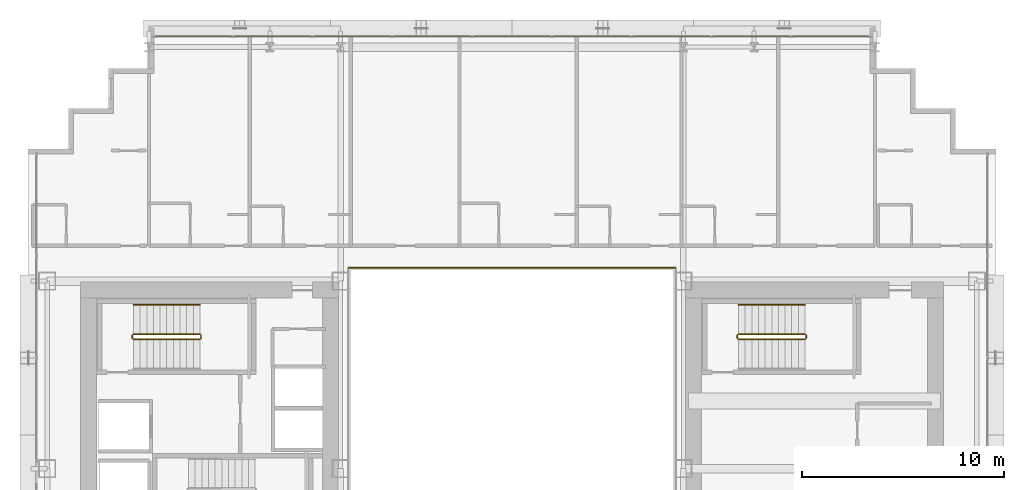
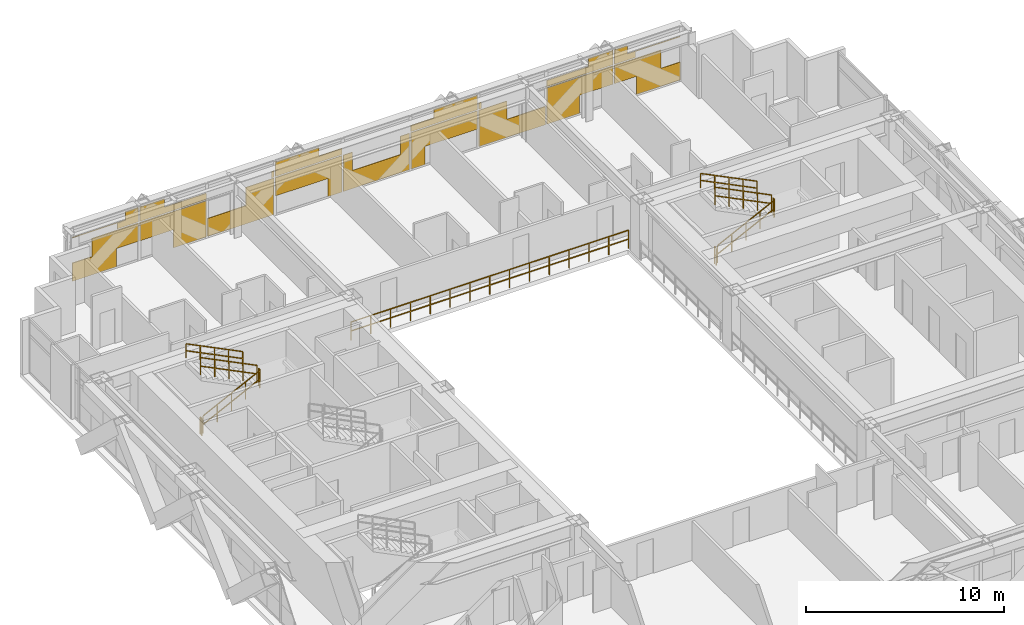
# One storey, part 35 of 35: 11 railings, 1 covering.
"""IFC4 building model written with IfcOpenShell, lengths in metres."""

from ifc_helpers import new_model, si_unit, direction, frame, origin, origin_2d, place, context, subcontext, project, spatial, rectangle, extrude, material, layer, layer_set, type_object, element, save


model = new_model("IFC4")

# Units and contexts
model_context = context("Model", 3, precision=1e-05, world=origin(), true_north=direction((0.0, 1.0)))
body_context = subcontext(model_context, "Body", "Model", "MODEL_VIEW")
ifc_project = project(units=[si_unit("LENGTHUNIT", "METRE"), si_unit("AREAUNIT", "SQUARE_METRE"), si_unit("VOLUMEUNIT", "CUBIC_METRE"), si_unit("PLANEANGLEUNIT", "RADIAN"), si_unit("MASSUNIT", "GRAM", prefix="KILO")], contexts=[model_context])

# Site, building, storey
site_placement = place(None, origin())
site = spatial("IfcSite", under=ifc_project, at=site_placement, CompositionType="ELEMENT")
building_placement = place(site_placement, origin())
building = spatial("IfcBuilding", under=site, at=building_placement, Name="Ocotamira Hotel", CompositionType="ELEMENT")
storey_placement = place(building_placement, frame((0.0, 0.0, 70.800048828125)))
storey = spatial("IfcBuildingStorey", under=building, at=storey_placement, Name="L17", CompositionType="ELEMENT", Elevation=70.800048828125)

# Covering
ifc_material_1 = material(Name="Insulated pale-metal aluminium spandrel panel", Category="aluminium")
ifc_layer = layer(ifc_material_1, 0.044921875)
ifc_layer_set = layer_set([ifc_layer], Name="Insulated pale-metal aluminium spandrel panel")
covering_type = type_object("IfcCoveringType", Name="COV-INFILL-45", PredefinedType="CLADDING", material=ifc_layer_set)
covering_placement = place(storey_placement, origin())
element("IfcCovering", 1, at=covering_placement, inside=storey, type_object=covering_type, Name="L17 Curtain Wall Infill CW-2 CW-L17-N", PredefinedType="CLADDING", context=body_context, shape_type="SweptSolid", body=[
    extrude(rectangle(XDim=2.556396484375, YDim=0.044921875, at=origin_2d()), frame((15.558837890625, 49.580078125, 0.0751953125), z_axis=(0.0, 0.0, 1.0), x_axis=(1.0, 0.0, 0.0)), (0.0, 0.0, 1.0), 1.117919921875),
    extrude(rectangle(XDim=2.7177734375, YDim=0.044921875, at=origin_2d()), frame((16.756103515625, 49.580078125, 1.194091796875), z_axis=(0.0, 0.0, 1.0), x_axis=(1.0, 0.0, 0.0)), (0.0, 0.0, 1.0), 1.11767578125),
    extrude(rectangle(XDim=3.834716796875, YDim=0.044921875, at=origin_2d()), frame((16.19775390625, 49.580078125, 2.7333984375), z_axis=(0.0, 0.0, 1.0), x_axis=(1.0, 0.0, 0.0)), (0.0, 0.0, 1.0), 0.0302734375),
    extrude(rectangle(XDim=1.2255859375, YDim=0.044921875, at=origin_2d()), frame((17.502197265625, 49.580078125, 2.3876953125), z_axis=(0.0, 0.0, 1.0), x_axis=(1.0, 0.0, 0.0)), (0.0, 0.0, 1.0), 0.344482421875),
    extrude(rectangle(XDim=0.754638671875, YDim=0.044921875, at=origin_2d()), frame((17.73779296875, 49.580078125, 2.7646484375), z_axis=(0.0, 0.0, 1.0), x_axis=(1.0, 0.0, 0.0)), (0.0, 0.0, 1.0), 0.509765625),
    extrude(rectangle(XDim=3.87451171875, YDim=0.044921875, at=origin_2d()), frame((20.13330078125, 49.580078125, 1.194091796875), z_axis=(0.0, 0.0, 1.0), x_axis=(1.0, 0.0, 0.0)), (0.0, 0.0, 1.0), 1.11767578125),
    extrude(rectangle(XDim=1.90771484375, YDim=0.044921875, at=origin_2d()), frame((21.11669921875, 49.580078125, 0.0751953125), z_axis=(0.0, 0.0, 1.0), x_axis=(1.0, 0.0, 0.0)), (0.0, 0.0, 1.0), 1.117919921875),
    extrude(rectangle(XDim=3.87451171875, YDim=0.044921875, at=origin_2d()), frame((20.13330078125, 49.580078125, 2.38818359375), z_axis=(0.0, 0.0, 1.0), x_axis=(1.0, 0.0, 0.0)), (0.0, 0.0, 1.0), 0.375732421875),
    extrude(rectangle(XDim=1.443603515625, YDim=0.044921875, at=origin_2d()), frame((18.917724609375, 49.580078125, 2.7646484375), z_axis=(0.0, 0.0, 1.0), x_axis=(1.0, 0.0, 0.0)), (0.0, 0.0, 1.0), 0.509765625),
    extrude(rectangle(XDim=3.87451171875, YDim=0.044921875, at=origin_2d()), frame((24.0888671875, 49.580078125, 0.0751953125), z_axis=(0.0, 0.0, 1.0), x_axis=(1.0, 0.0, 0.0)), (0.0, 0.0, 1.0), 1.117919921875),
    extrude(rectangle(XDim=1.62890625, YDim=0.044921875, at=origin_2d()), frame((25.2119140625, 49.580078125, 1.194091796875), z_axis=(0.0, 0.0, 1.0), x_axis=(1.0, 0.0, 0.0)), (0.0, 0.0, 1.0), 1.11767578125),
    extrude(rectangle(XDim=0.13671875, YDim=0.044921875, at=origin_2d()), frame((25.957763671875, 49.580078125, 2.38818359375), z_axis=(0.0, 0.0, 1.0), x_axis=(1.0, 0.0, 0.0)), (0.0, 0.0, 1.0), 0.375732421875),
    extrude(rectangle(XDim=3.87451171875, YDim=0.044921875, at=origin_2d()), frame((28.04443359375, 49.580078125, 1.194091796875), z_axis=(0.0, 0.0, 1.0), x_axis=(1.0, 0.0, 0.0)), (0.0, 0.0, 1.0), 1.11767578125),
    extrude(rectangle(XDim=0.81884765625, YDim=0.044921875, at=origin_2d()), frame((29.572265625, 49.580078125, 0.0751953125), z_axis=(0.0, 0.0, 1.0), x_axis=(1.0, 0.0, 0.0)), (0.0, 0.0, 1.0), 1.117919921875),
    extrude(rectangle(XDim=3.87451171875, YDim=0.044921875, at=origin_2d()), frame((28.04443359375, 49.580078125, 2.38818359375), z_axis=(0.0, 0.0, 1.0), x_axis=(1.0, 0.0, 0.0)), (0.0, 0.0, 1.0), 0.375732421875),
    extrude(rectangle(XDim=2.532470703125, YDim=0.044921875, at=origin_2d()), frame((27.373291015625, 49.580078125, 2.7646484375), z_axis=(0.0, 0.0, 1.0), x_axis=(1.0, 0.0, 0.0)), (0.0, 0.0, 1.0), 0.509765625),
    extrude(rectangle(XDim=3.87451171875, YDim=0.044921875, at=origin_2d()), frame((32.0, 49.580078125, 0.0751953125), z_axis=(0.0, 0.0, 1.0), x_axis=(1.0, 0.0, 0.0)), (0.0, 0.0, 1.0), 1.117919921875),
    extrude(rectangle(XDim=0.539794921875, YDim=0.044921875, at=origin_2d()), frame((30.332763671875, 49.580078125, 1.194091796875), z_axis=(0.0, 0.0, 1.0), x_axis=(1.0, 0.0, 0.0)), (0.0, 0.0, 1.0), 1.11767578125),
    extrude(rectangle(XDim=0.539794921875, YDim=0.044921875, at=origin_2d()), frame((33.667236328125, 49.580078125, 1.194091796875), z_axis=(0.0, 0.0, 1.0), x_axis=(1.0, 0.0, 0.0)), (0.0, 0.0, 1.0), 1.11767578125),
    extrude(rectangle(XDim=0.81884765625, YDim=0.044921875, at=origin_2d()), frame((34.427734375, 49.580078125, 0.0751953125), z_axis=(0.0, 0.0, 1.0), x_axis=(1.0, 0.0, 0.0)), (0.0, 0.0, 1.0), 1.117919921875),
    extrude(rectangle(XDim=3.87451171875, YDim=0.044921875, at=origin_2d()), frame((35.95556640625, 49.580078125, 1.194091796875), z_axis=(0.0, 0.0, 1.0), x_axis=(1.0, 0.0, 0.0)), (0.0, 0.0, 1.0), 1.11767578125),
    extrude(rectangle(XDim=3.87451171875, YDim=0.044921875, at=origin_2d()), frame((35.95556640625, 49.580078125, 2.38818359375), z_axis=(0.0, 0.0, 1.0), x_axis=(1.0, 0.0, 0.0)), (0.0, 0.0, 1.0), 0.375732421875),
    extrude(rectangle(XDim=2.532470703125, YDim=0.044921875, at=origin_2d()), frame((36.626708984375, 49.580078125, 2.7646484375), z_axis=(0.0, 0.0, 1.0), x_axis=(1.0, 0.0, 0.0)), (0.0, 0.0, 1.0), 0.509765625),
    extrude(rectangle(XDim=3.87451171875, YDim=0.044921875, at=origin_2d()), frame((39.9111328125, 49.580078125, 0.0751953125), z_axis=(0.0, 0.0, 1.0), x_axis=(1.0, 0.0, 0.0)), (0.0, 0.0, 1.0), 1.117919921875),
    extrude(rectangle(XDim=1.62890625, YDim=0.044921875, at=origin_2d()), frame((38.7880859375, 49.580078125, 1.194091796875), z_axis=(0.0, 0.0, 1.0), x_axis=(1.0, 0.0, 0.0)), (0.0, 0.0, 1.0), 1.11767578125),
    extrude(rectangle(XDim=0.13671875, YDim=0.044921875, at=origin_2d()), frame((38.042236328125, 49.580078125, 2.38818359375), z_axis=(0.0, 0.0, 1.0), x_axis=(1.0, 0.0, 0.0)), (0.0, 0.0, 1.0), 0.375732421875),
    extrude(rectangle(XDim=1.90771484375, YDim=0.044921875, at=origin_2d()), frame((42.88330078125, 49.580078125, 0.0751953125), z_axis=(0.0, 0.0, 1.0), x_axis=(1.0, 0.0, 0.0)), (0.0, 0.0, 1.0), 1.117919921875),
    extrude(rectangle(XDim=3.87451171875, YDim=0.044921875, at=origin_2d()), frame((43.86669921875, 49.580078125, 1.194091796875), z_axis=(0.0, 0.0, 1.0), x_axis=(1.0, 0.0, 0.0)), (0.0, 0.0, 1.0), 1.11767578125),
    extrude(rectangle(XDim=3.87451171875, YDim=0.044921875, at=origin_2d()), frame((43.86669921875, 49.580078125, 2.38818359375), z_axis=(0.0, 0.0, 1.0), x_axis=(1.0, 0.0, 0.0)), (0.0, 0.0, 1.0), 0.375732421875),
    extrude(rectangle(XDim=1.443603515625, YDim=0.044921875, at=origin_2d()), frame((45.082275390625, 49.580078125, 2.7646484375), z_axis=(0.0, 0.0, 1.0), x_axis=(1.0, 0.0, 0.0)), (0.0, 0.0, 1.0), 0.509765625),
    extrude(rectangle(XDim=2.7177734375, YDim=0.044921875, at=origin_2d()), frame((47.243896484375, 49.580078125, 1.194091796875), z_axis=(0.0, 0.0, 1.0), x_axis=(1.0, 0.0, 0.0)), (0.0, 0.0, 1.0), 1.11767578125),
    extrude(rectangle(XDim=2.556396484375, YDim=0.044921875, at=origin_2d()), frame((48.441162109375, 49.580078125, 0.0751953125), z_axis=(0.0, 0.0, 1.0), x_axis=(1.0, 0.0, 0.0)), (0.0, 0.0, 1.0), 1.117919921875),
    extrude(rectangle(XDim=1.2255859375, YDim=0.044921875, at=origin_2d()), frame((46.497802734375, 49.580078125, 2.3876953125), z_axis=(0.0, 0.0, 1.0), x_axis=(1.0, 0.0, 0.0)), (0.0, 0.0, 1.0), 0.344482421875),
    extrude(rectangle(XDim=3.834716796875, YDim=0.044921875, at=origin_2d()), frame((47.80224609375, 49.580078125, 2.7333984375), z_axis=(0.0, 0.0, 1.0), x_axis=(1.0, 0.0, 0.0)), (0.0, 0.0, 1.0), 0.0302734375),
    extrude(rectangle(XDim=0.754638671875, YDim=0.044921875, at=origin_2d()), frame((46.26220703125, 49.580078125, 2.7646484375), z_axis=(0.0, 0.0, 1.0), x_axis=(1.0, 0.0, 0.0)), (0.0, 0.0, 1.0), 0.509765625),
])

# Railings
ifc_material_2 = material(Name="Painted steel stair guardrail", Category="steel")
railing_type_1 = type_object("IfcRailingType", Name="RL-EDGE-1150", PredefinedType="GUARDRAIL", material=ifc_material_2)
railing_1_placement = place(storey_placement, frame((40.10009765625, 38.1201171875, 0.0)))
element("IfcRailing", 2, at=railing_1_placement, inside=storey, type_object=railing_type_1, Name="L17 Central Atrium Edge Guardrail N", PredefinedType="GUARDRAIL", context=body_context, shape_type="SweptSolid", body=[
    extrude(rectangle(XDim=0.048095703125, YDim=0.048095703125, at=origin_2d()), frame((0.0, 0.0, 1.1259765625), z_axis=(-1.0, 0.0, 0.0), x_axis=(0.0, -1.0, 0.0)), (0.0, 0.0, 1.0), 16.2001953125),
    extrude(rectangle(XDim=0.048095703125, YDim=0.048095703125, at=origin_2d()), frame((0.0, 0.0, 0.574951171875), z_axis=(-1.0, 0.0, 0.0), x_axis=(0.0, -1.0, 0.0)), (0.0, 0.0, 1.0), 16.2001953125),
    extrude(rectangle(XDim=0.0419921875, YDim=0.0419921875, at=origin_2d()), origin(), (0.0, 0.0, 1.0), 1.101806640625),
    extrude(rectangle(XDim=0.0419921875, YDim=0.0419921875, at=origin_2d()), frame((-1.1572265625, 0.0, 0.0)), (0.0, 0.0, 1.0), 1.101806640625),
    extrude(rectangle(XDim=0.0419921875, YDim=0.0419921875, at=origin_2d()), frame((-2.314208984375, 0.0, 0.0)), (0.0, 0.0, 1.0), 1.101806640625),
    extrude(rectangle(XDim=0.0419921875, YDim=0.0419921875, at=origin_2d()), frame((-3.471435546875, 0.0, 0.0)), (0.0, 0.0, 1.0), 1.101806640625),
    extrude(rectangle(XDim=0.0419921875, YDim=0.0419921875, at=origin_2d()), frame((-4.628662109375, 0.0, 0.0)), (0.0, 0.0, 1.0), 1.101806640625),
    extrude(rectangle(XDim=0.0419921875, YDim=0.0419921875, at=origin_2d()), frame((-5.785888671875, 0.0, 0.0)), (0.0, 0.0, 1.0), 1.101806640625),
    extrude(rectangle(XDim=0.0419921875, YDim=0.0419921875, at=origin_2d()), frame((-6.94287109375, 0.0, 0.0)), (0.0, 0.0, 1.0), 1.101806640625),
    extrude(rectangle(XDim=0.0419921875, YDim=0.0419921875, at=origin_2d()), frame((-8.10009765625, 0.0, 0.0)), (0.0, 0.0, 1.0), 1.101806640625),
    extrude(rectangle(XDim=0.0419921875, YDim=0.0419921875, at=origin_2d()), frame((-9.25732421875, 0.0, 0.0)), (0.0, 0.0, 1.0), 1.101806640625),
    extrude(rectangle(XDim=0.0419921875, YDim=0.0419921875, at=origin_2d()), frame((-10.414306640625, 0.0, 0.0)), (0.0, 0.0, 1.0), 1.101806640625),
    extrude(rectangle(XDim=0.0419921875, YDim=0.0419921875, at=origin_2d()), frame((-11.571533203125, 0.0, 0.0)), (0.0, 0.0, 1.0), 1.101806640625),
    extrude(rectangle(XDim=0.0419921875, YDim=0.0419921875, at=origin_2d()), frame((-12.728759765625, 0.0, 0.0)), (0.0, 0.0, 1.0), 1.101806640625),
    extrude(rectangle(XDim=0.0419921875, YDim=0.0419921875, at=origin_2d()), frame((-13.885986328125, 0.0, 0.0)), (0.0, 0.0, 1.0), 1.101806640625),
    extrude(rectangle(XDim=0.0419921875, YDim=0.0419921875, at=origin_2d()), frame((-15.04296875, 0.0, 0.0)), (0.0, 0.0, 1.0), 1.101806640625),
    extrude(rectangle(XDim=0.0419921875, YDim=0.0419921875, at=origin_2d()), frame((-16.2001953125, 0.0, 0.0)), (0.0, 0.0, 1.0), 1.101806640625),
])
ifc_material_3 = material(Name="Brushed stainless steel handrail", Category="steel")
railing_type_2 = type_object("IfcRailingType", Name="RL-HAND-900", PredefinedType="HANDRAIL", material=ifc_material_3)
for number, where, name in (
    (3, (16.530029296875, 36.280029296875, 2.127197265625), "L17 ST-2 stair handrail 2"),
    (4, (46.530029296875, 36.280029296875, 2.127197265625), "L17 ST-4 stair handrail 2"),
):
    element("IfcRailing", number, at=place(storey_placement, frame(where)), inside=storey, type_object=railing_type_2, Name=name, PredefinedType="HANDRAIL", context=body_context, shape_type="SweptSolid", body=[
        extrude(rectangle(XDim=0.048095703125, YDim=0.048095703125, at=origin_2d()), frame((0.0, 0.0, 0.8759765625), z_axis=(-0.895893744519, 0.0, 0.4442683857), x_axis=(0.0, -1.0, 0.0)), (0.0, 0.0, 1.0), 3.68359375),
        extrude(rectangle(XDim=0.048095703125, YDim=0.048095703125, at=origin_2d()), frame((0.0, 0.0, 0.449951171875), z_axis=(-0.895893744519, 0.0, 0.4442683857), x_axis=(0.0, -1.0, 0.0)), (0.0, 0.0, 1.0), 3.68359375),
        extrude(rectangle(XDim=0.0419921875, YDim=0.0419921875, at=origin_2d()), origin(), (0.0, 0.0, 1.0), 0.851806640625),
        extrude(rectangle(XDim=0.0419921875, YDim=0.0419921875, at=origin_2d()), frame((-0.824951171875, 0.0, 0.4091796875)), (0.0, 0.0, 1.0), 0.851806640625),
        extrude(rectangle(XDim=0.0419921875, YDim=0.0419921875, at=origin_2d()), frame((-1.64990234375, 0.0, 0.818359375)), (0.0, 0.0, 1.0), 0.851806640625),
        extrude(rectangle(XDim=0.0419921875, YDim=0.0419921875, at=origin_2d()), frame((-2.47509765625, 0.0, 1.227294921875)), (0.0, 0.0, 1.0), 0.851806640625),
        extrude(rectangle(XDim=0.0419921875, YDim=0.0419921875, at=origin_2d()), frame((-3.300048828125, 0.0, 1.636474609375)), (0.0, 0.0, 1.0), 0.851806640625),
    ])
railing_type_3 = type_object("IfcRailingType", Name="RL-STAIR-1100", PredefinedType="GUARDRAIL", material=ifc_material_2)
railing_2_placement = place(storey_placement, frame((13.22998046875, 34.56005859375, 0.16357421875)))
element("IfcRailing", 5, at=railing_2_placement, inside=storey, type_object=railing_type_3, Name="L17 ST-2 stair guard 1", PredefinedType="GUARDRAIL", context=body_context, shape_type="SweptSolid", body=[
    extrude(rectangle(XDim=0.048095703125, YDim=0.048095703125, at=origin_2d()), frame((0.0, 0.0, 1.076171875), z_axis=(0.895893744519, 0.0, 0.4442683857), x_axis=(0.0, 1.0, 0.0)), (0.0, 0.0, 1.0), 3.68359375),
    extrude(rectangle(XDim=0.048095703125, YDim=0.048095703125, at=origin_2d()), frame((0.0, 0.0, 0.550048828125), z_axis=(0.895893744519, 0.0, 0.4442683857), x_axis=(0.0, 1.0, 0.0)), (0.0, 0.0, 1.0), 3.68359375),
    extrude(rectangle(XDim=0.0419921875, YDim=0.0419921875, at=origin_2d()), origin(), (0.0, 0.0, 1.0), 1.052001953125),
    extrude(rectangle(XDim=0.0419921875, YDim=0.0419921875, at=origin_2d()), frame((0.824951171875, 0.0, 0.4091796875)), (0.0, 0.0, 1.0), 1.052001953125),
    extrude(rectangle(XDim=0.0419921875, YDim=0.0419921875, at=origin_2d()), frame((1.64990234375, 0.0, 0.818359375)), (0.0, 0.0, 1.0), 1.052001953125),
    extrude(rectangle(XDim=0.0419921875, YDim=0.0419921875, at=origin_2d()), frame((2.47509765625, 0.0, 1.227294921875)), (0.0, 0.0, 1.0), 1.052001953125),
    extrude(rectangle(XDim=0.0419921875, YDim=0.0419921875, at=origin_2d()), frame((3.300048828125, 0.0, 1.636474609375)), (0.0, 0.0, 1.0), 1.052001953125),
])
railing_3_placement = place(storey_placement, frame((16.580078125, 34.610107421875, 1.800048828125)))
element("IfcRailing", 6, at=railing_3_placement, inside=storey, type_object=railing_type_3, Name="L17 ST-2 stair guard 2", PredefinedType="GUARDRAIL", context=body_context, shape_type="SweptSolid", body=[
    extrude(rectangle(XDim=0.048095703125, YDim=0.048095703125, at=origin_2d()), frame((0.0, 0.0, 1.076171875), z_axis=(0.0, 1.0, 0.0), x_axis=(-1.0, 0.0, 0.0)), (0.0, 0.0, 1.0), 0.159912109375),
    extrude(rectangle(XDim=0.048095703125, YDim=0.048095703125, at=origin_2d()), frame((0.0, 0.0, 0.550048828125), z_axis=(0.0, 1.0, 0.0), x_axis=(-1.0, 0.0, 0.0)), (0.0, 0.0, 1.0), 0.159912109375),
    extrude(rectangle(XDim=0.0419921875, YDim=0.0419921875, at=origin_2d()), origin(), (0.0, 0.0, 1.0), 1.052001953125),
    extrude(rectangle(XDim=0.0419921875, YDim=0.0419921875, at=origin_2d()), frame((0.0, 0.159912109375, 0.0)), (0.0, 0.0, 1.0), 1.052001953125),
])
railing_4_placement = place(storey_placement, frame((16.530029296875, 34.820068359375, 1.963623046875)))
element("IfcRailing", 7, at=railing_4_placement, inside=storey, type_object=railing_type_3, Name="L17 ST-2 stair guard 3", PredefinedType="GUARDRAIL", context=body_context, shape_type="SweptSolid", body=[
    extrude(rectangle(XDim=0.048095703125, YDim=0.048095703125, at=origin_2d()), frame((0.0, 0.0, 1.076171875), z_axis=(-0.895920123917, 0.0, 0.444215186098), x_axis=(0.0, -1.0, 0.0)), (0.0, 0.0, 1.0), 3.683349609375),
    extrude(rectangle(XDim=0.048095703125, YDim=0.048095703125, at=origin_2d()), frame((0.0, 0.0, 0.550048828125), z_axis=(-0.895920123917, 0.0, 0.444215186098), x_axis=(0.0, -1.0, 0.0)), (0.0, 0.0, 1.0), 3.683349609375),
    extrude(rectangle(XDim=0.0419921875, YDim=0.0419921875, at=origin_2d()), origin(), (0.0, 0.0, 1.0), 1.052001953125),
    extrude(rectangle(XDim=0.0419921875, YDim=0.0419921875, at=origin_2d()), frame((-0.824951171875, 0.0, 0.4091796875)), (0.0, 0.0, 1.0), 1.052001953125),
    extrude(rectangle(XDim=0.0419921875, YDim=0.0419921875, at=origin_2d()), frame((-1.64990234375, 0.0, 0.818115234375)), (0.0, 0.0, 1.0), 1.052001953125),
    extrude(rectangle(XDim=0.0419921875, YDim=0.0419921875, at=origin_2d()), frame((-2.47509765625, 0.0, 1.22705078125)), (0.0, 0.0, 1.0), 1.052001953125),
    extrude(rectangle(XDim=0.0419921875, YDim=0.0419921875, at=origin_2d()), frame((-3.300048828125, 0.0, 1.63623046875)), (0.0, 0.0, 1.0), 1.052001953125),
])
railing_5_placement = place(storey_placement, frame((13.179931640625, 34.610107421875, 0.0)))
element("IfcRailing", 8, at=railing_5_placement, inside=storey, type_object=railing_type_3, Name="L17 ST-2 stair guard 4", PredefinedType="GUARDRAIL", context=body_context, shape_type="SweptSolid", body=[
    extrude(rectangle(XDim=0.048095703125, YDim=0.048095703125, at=origin_2d()), frame((0.0, 0.0, 1.076171875), z_axis=(0.0, 1.0, 0.0), x_axis=(-1.0, 0.0, 0.0)), (0.0, 0.0, 1.0), 0.159912109375),
    extrude(rectangle(XDim=0.048095703125, YDim=0.048095703125, at=origin_2d()), frame((0.0, 0.0, 0.550048828125), z_axis=(0.0, 1.0, 0.0), x_axis=(-1.0, 0.0, 0.0)), (0.0, 0.0, 1.0), 0.159912109375),
    extrude(rectangle(XDim=0.0419921875, YDim=0.0419921875, at=origin_2d()), origin(), (0.0, 0.0, 1.0), 1.052001953125),
    extrude(rectangle(XDim=0.0419921875, YDim=0.0419921875, at=origin_2d()), frame((0.0, 0.159912109375, 0.0)), (0.0, 0.0, 1.0), 1.052001953125),
])
railing_6_placement = place(storey_placement, frame((43.22998046875, 34.56005859375, 0.16357421875)))
element("IfcRailing", 9, at=railing_6_placement, inside=storey, type_object=railing_type_3, Name="L17 ST-4 stair guard 1", PredefinedType="GUARDRAIL", context=body_context, shape_type="SweptSolid", body=[
    extrude(rectangle(XDim=0.048095703125, YDim=0.048095703125, at=origin_2d()), frame((0.0, 0.0, 1.076171875), z_axis=(0.895893744519, 0.0, 0.4442683857), x_axis=(0.0, 1.0, 0.0)), (0.0, 0.0, 1.0), 3.68359375),
    extrude(rectangle(XDim=0.048095703125, YDim=0.048095703125, at=origin_2d()), frame((0.0, 0.0, 0.550048828125), z_axis=(0.895893744519, 0.0, 0.4442683857), x_axis=(0.0, 1.0, 0.0)), (0.0, 0.0, 1.0), 3.68359375),
    extrude(rectangle(XDim=0.0419921875, YDim=0.0419921875, at=origin_2d()), origin(), (0.0, 0.0, 1.0), 1.052001953125),
    extrude(rectangle(XDim=0.0419921875, YDim=0.0419921875, at=origin_2d()), frame((0.824951171875, 0.0, 0.4091796875)), (0.0, 0.0, 1.0), 1.052001953125),
    extrude(rectangle(XDim=0.0419921875, YDim=0.0419921875, at=origin_2d()), frame((1.64990234375, 0.0, 0.818359375)), (0.0, 0.0, 1.0), 1.052001953125),
    extrude(rectangle(XDim=0.0419921875, YDim=0.0419921875, at=origin_2d()), frame((2.47509765625, 0.0, 1.227294921875)), (0.0, 0.0, 1.0), 1.052001953125),
    extrude(rectangle(XDim=0.0419921875, YDim=0.0419921875, at=origin_2d()), frame((3.300048828125, 0.0, 1.636474609375)), (0.0, 0.0, 1.0), 1.052001953125),
])
railing_7_placement = place(storey_placement, frame((46.580078125, 34.610107421875, 1.800048828125)))
element("IfcRailing", 10, at=railing_7_placement, inside=storey, type_object=railing_type_3, Name="L17 ST-4 stair guard 2", PredefinedType="GUARDRAIL", context=body_context, shape_type="SweptSolid", body=[
    extrude(rectangle(XDim=0.048095703125, YDim=0.048095703125, at=origin_2d()), frame((0.0, 0.0, 1.076171875), z_axis=(0.0, 1.0, 0.0), x_axis=(-1.0, 0.0, 0.0)), (0.0, 0.0, 1.0), 0.159912109375),
    extrude(rectangle(XDim=0.048095703125, YDim=0.048095703125, at=origin_2d()), frame((0.0, 0.0, 0.550048828125), z_axis=(0.0, 1.0, 0.0), x_axis=(-1.0, 0.0, 0.0)), (0.0, 0.0, 1.0), 0.159912109375),
    extrude(rectangle(XDim=0.0419921875, YDim=0.0419921875, at=origin_2d()), origin(), (0.0, 0.0, 1.0), 1.052001953125),
    extrude(rectangle(XDim=0.0419921875, YDim=0.0419921875, at=origin_2d()), frame((0.0, 0.159912109375, 0.0)), (0.0, 0.0, 1.0), 1.052001953125),
])
railing_8_placement = place(storey_placement, frame((46.530029296875, 34.820068359375, 1.963623046875)))
element("IfcRailing", 11, at=railing_8_placement, inside=storey, type_object=railing_type_3, Name="L17 ST-4 stair guard 3", PredefinedType="GUARDRAIL", context=body_context, shape_type="SweptSolid", body=[
    extrude(rectangle(XDim=0.048095703125, YDim=0.048095703125, at=origin_2d()), frame((0.0, 0.0, 1.076171875), z_axis=(-0.895920123917, 0.0, 0.444215186098), x_axis=(0.0, -1.0, 0.0)), (0.0, 0.0, 1.0), 3.683349609375),
    extrude(rectangle(XDim=0.048095703125, YDim=0.048095703125, at=origin_2d()), frame((0.0, 0.0, 0.550048828125), z_axis=(-0.895920123917, 0.0, 0.444215186098), x_axis=(0.0, -1.0, 0.0)), (0.0, 0.0, 1.0), 3.683349609375),
    extrude(rectangle(XDim=0.0419921875, YDim=0.0419921875, at=origin_2d()), origin(), (0.0, 0.0, 1.0), 1.052001953125),
    extrude(rectangle(XDim=0.0419921875, YDim=0.0419921875, at=origin_2d()), frame((-0.824951171875, 0.0, 0.4091796875)), (0.0, 0.0, 1.0), 1.052001953125),
    extrude(rectangle(XDim=0.0419921875, YDim=0.0419921875, at=origin_2d()), frame((-1.64990234375, 0.0, 0.818115234375)), (0.0, 0.0, 1.0), 1.052001953125),
    extrude(rectangle(XDim=0.0419921875, YDim=0.0419921875, at=origin_2d()), frame((-2.47509765625, 0.0, 1.22705078125)), (0.0, 0.0, 1.0), 1.052001953125),
    extrude(rectangle(XDim=0.0419921875, YDim=0.0419921875, at=origin_2d()), frame((-3.300048828125, 0.0, 1.63623046875)), (0.0, 0.0, 1.0), 1.052001953125),
])
railing_9_placement = place(storey_placement, frame((43.179931640625, 34.610107421875, 0.0)))
element("IfcRailing", 12, at=railing_9_placement, inside=storey, type_object=railing_type_3, Name="L17 ST-4 stair guard 4", PredefinedType="GUARDRAIL", context=body_context, shape_type="SweptSolid", body=[
    extrude(rectangle(XDim=0.048095703125, YDim=0.048095703125, at=origin_2d()), frame((0.0, 0.0, 1.076171875), z_axis=(0.0, 1.0, 0.0), x_axis=(-1.0, 0.0, 0.0)), (0.0, 0.0, 1.0), 0.159912109375),
    extrude(rectangle(XDim=0.048095703125, YDim=0.048095703125, at=origin_2d()), frame((0.0, 0.0, 0.550048828125), z_axis=(0.0, 1.0, 0.0), x_axis=(-1.0, 0.0, 0.0)), (0.0, 0.0, 1.0), 0.159912109375),
    extrude(rectangle(XDim=0.0419921875, YDim=0.0419921875, at=origin_2d()), origin(), (0.0, 0.0, 1.0), 1.052001953125),
    extrude(rectangle(XDim=0.0419921875, YDim=0.0419921875, at=origin_2d()), frame((0.0, 0.159912109375, 0.0)), (0.0, 0.0, 1.0), 1.052001953125),
])

save(model, "model.ifc")
